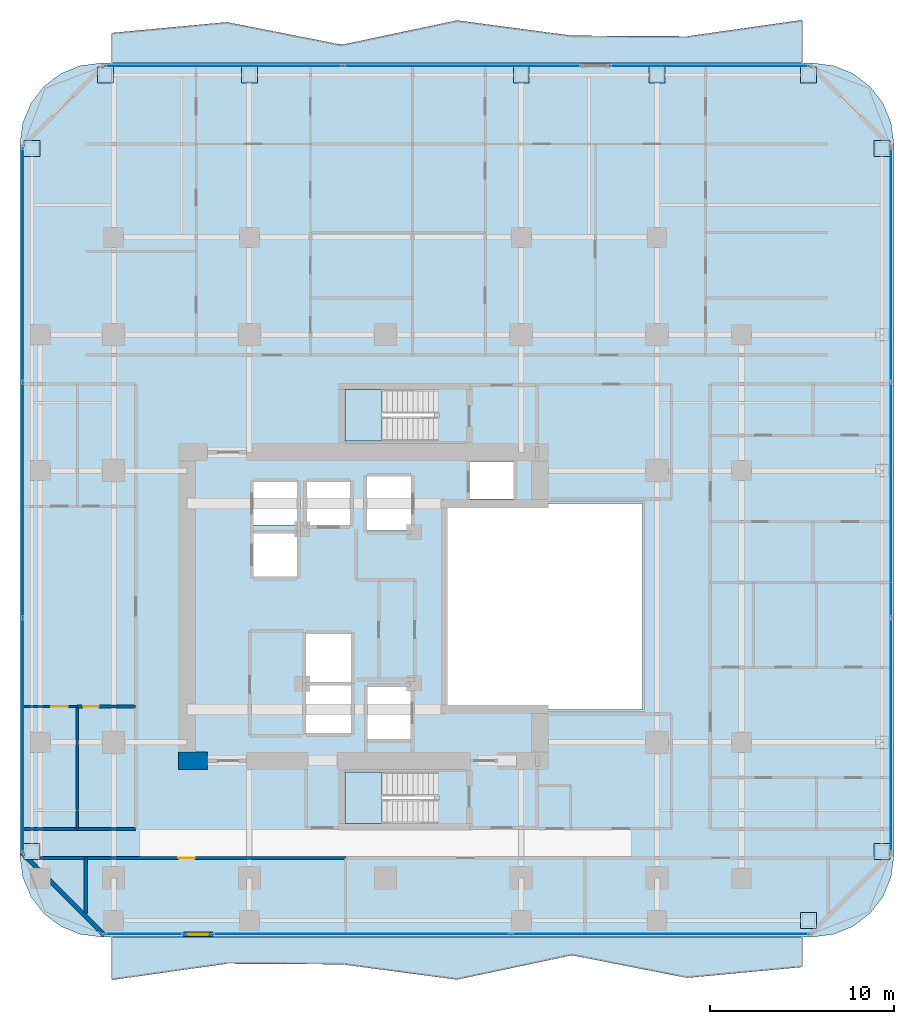
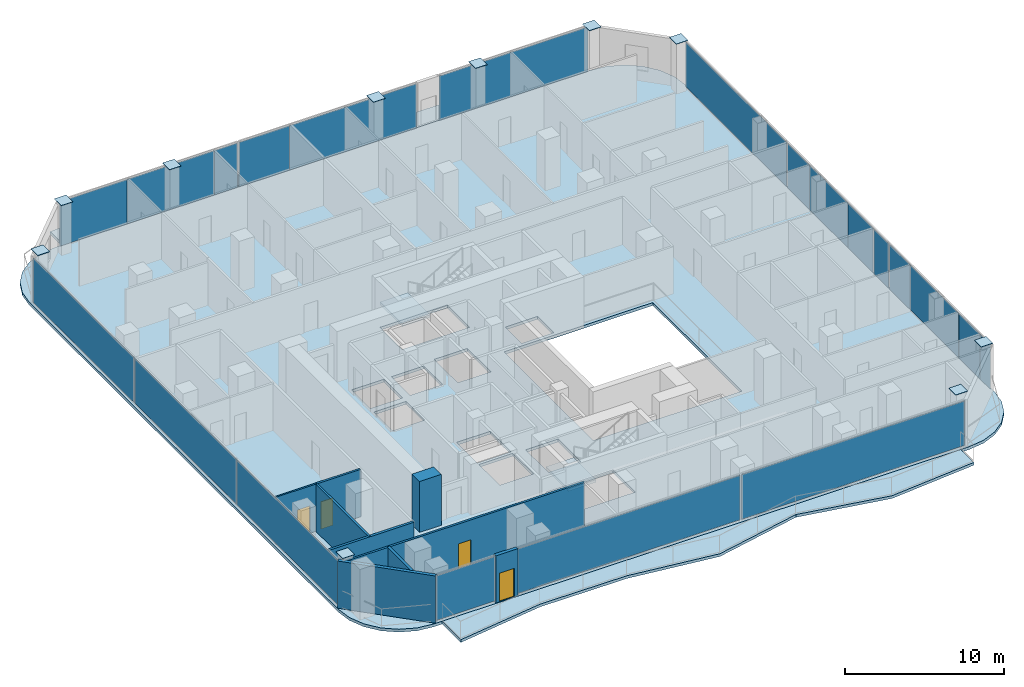
# One storey, part 19 of 27: 31 plates, 9 walls, 5 slabs, 4 doors, 4 openings, 8 elements without a shape of their own.
"""IFC4 building model written with IfcOpenShell, lengths in metres."""

import ifcopenshell
import ifcopenshell.guid

model = None  # the IFC model being written
_history = None  # IfcOwnerHistory: only IFC2X3 demands one
_inside = {}  # id of a spatial element -> (the spatial element, [elements in it])
_under = {}  # id of a project, library or spatial element -> (it, [spatial elements below it])
_declared = {}  # id of a project -> (the project, [libraries it declares])
_typed = {}  # id of a type object -> (the type object, [elements of that type])
_made_of = {}  # id of a material, layer set ... -> (it, [elements and type objects made of it])


def new_model(schema):
    """Start an empty IFC model of exactly this schema.

    Asked for "IFC4X3", IfcOpenShell would pick the latest addendum, in which some entities
    have other attributes; the version numbers below select the first issue.
    IFC2X3 requires an IfcOwnerHistory on every rooted entity: one is made here for all.
    """
    global model, _history
    if schema == "IFC4X3":
        model = ifcopenshell.file(schema_version=(4, 3, 0, 0))
    else:
        model = ifcopenshell.file(schema=schema)
    _inside.clear()
    _under.clear()
    _declared.clear()
    _typed.clear()
    _made_of.clear()
    _history = None
    if model.schema == "IFC2X3":
        org = make("IfcOrganization", Name="unknown")
        user = make(
            "IfcPersonAndOrganization",
            ThePerson=make("IfcPerson", FamilyName="unknown"),
            TheOrganization=org,
        )
        app = make(
            "IfcApplication",
            ApplicationDeveloper=org,
            Version="unknown",
            ApplicationFullName="unknown",
            ApplicationIdentifier="unknown",
        )
        _history = make(
            "IfcOwnerHistory",
            OwningUser=user,
            OwningApplication=app,
            ChangeAction="ADDED",
            CreationDate=0,
        )
    return model


def make(cls, **values):
    """One entity of the class cls with the attributes given. An attribute that is None is left unset."""
    return model.create_entity(
        cls, **{name: value for name, value in values.items() if value is not None}
    )


def rooted(cls, **values):
    """An entity with a GlobalId (a new one), such as an element, a storey or a relation."""
    return make(cls, GlobalId=ifcopenshell.guid.new(), OwnerHistory=_history, **values)


def si_unit(unit_type, name, prefix=None):
    """IfcSIUnit, for example si_unit("LENGTHUNIT", "METRE", prefix="MILLI")."""
    return make("IfcSIUnit", UnitType=unit_type, Prefix=prefix, Name=name)


def assignment(units):
    """IfcUnitAssignment: the units of a project."""
    return None if units is None else make("IfcUnitAssignment", Units=units)


def point(xyz):
    """IfcCartesianPoint."""
    return None if xyz is None else make("IfcCartesianPoint", Coordinates=xyz)


def direction(xyz):
    """IfcDirection."""
    return None if xyz is None else make("IfcDirection", DirectionRatios=xyz)


def frame(location, z_axis=None, x_axis=None):
    """IfcAxis2Placement3D, a coordinate frame: its origin and axes. An axis left out is left unset."""
    return make(
        "IfcAxis2Placement3D",
        Location=point(location),
        Axis=direction(z_axis),
        RefDirection=direction(x_axis),
    )


def frame_2d(location, x_axis=None):
    """IfcAxis2Placement2D, a coordinate frame in the plane: its origin and x axis."""
    return make(
        "IfcAxis2Placement2D", Location=point(location), RefDirection=direction(x_axis)
    )


def origin():
    """The frame at (0, 0, 0) with its axes left unset."""
    return frame((0.0, 0.0, 0.0))


def origin_2d():
    """The frame at (0, 0) in the plane with its x axis left unset."""
    return frame_2d((0.0, 0.0))


def place(relative_to, where):
    """IfcLocalPlacement: puts the frame where relative to a parent placement (None: the world)."""
    return make(
        "IfcLocalPlacement", PlacementRelTo=relative_to, RelativePlacement=where
    )


def context(
    kind, dimensions, precision=None, world=None, true_north=None, identifier=None
):
    """IfcGeometricRepresentationContext, for example the 3D "Model" context."""
    return make(
        "IfcGeometricRepresentationContext",
        ContextIdentifier=identifier,
        ContextType=kind,
        CoordinateSpaceDimension=dimensions,
        Precision=precision,
        WorldCoordinateSystem=world,
        TrueNorth=true_north,
    )


def subcontext(parent, identifier, kind, view, scale=None):
    """IfcGeometricRepresentationSubContext, for example "Body" below "Model"."""
    return make(
        "IfcGeometricRepresentationSubContext",
        ContextIdentifier=identifier,
        ContextType=kind,
        ParentContext=parent,
        TargetScale=scale,
        TargetView=view,
    )


def project(units=None, contexts=None):
    """IfcProject with its units and contexts."""
    return rooted(
        "IfcProject",
        Name="project",
        RepresentationContexts=contexts,
        UnitsInContext=assignment(units),
    )


def spatial(cls, under=None, at=None, **own):
    """A site, building, storey or space (cls), placed at a placement, below another one or the project."""
    s = rooted(cls, ObjectPlacement=at, **own)
    if under is not None:
        _under.setdefault(under.id(), (under, []))[1].append(s)
    return s


def polyline(points):
    """IfcPolyline through the points."""
    return make("IfcPolyline", Points=[point(p) for p in points])


def profile(cls, at=None, kind="AREA", **sizes):
    """A parametric profile (cls). Its sizes go by their IFC names, for example OverallWidth=200.0."""
    return make(cls, ProfileType=kind, Position=at, **sizes)


def rectangle(**sizes):
    """IfcRectangleProfileDef."""
    return profile("IfcRectangleProfileDef", **sizes)


def outline(outer, holes=None, kind="AREA"):
    """IfcArbitraryClosedProfileDef: a profile drawn as a closed curve; with holes, ...WithVoids."""
    if holes is None:
        return make("IfcArbitraryClosedProfileDef", ProfileType=kind, OuterCurve=outer)
    return make(
        "IfcArbitraryProfileDefWithVoids",
        ProfileType=kind,
        OuterCurve=outer,
        InnerCurves=holes,
    )


def extrude(swept, where, along, depth):
    """IfcExtrudedAreaSolid: the profile swept, set in the frame where, extruded along a direction by depth."""
    return make(
        "IfcExtrudedAreaSolid",
        SweptArea=swept,
        Position=where,
        ExtrudedDirection=direction(along),
        Depth=depth,
    )


def shape(context_of_items, identifier, shape_type, items):
    """IfcShapeRepresentation: the items that make up one representation, for example the "Body"."""
    return make(
        "IfcShapeRepresentation",
        ContextOfItems=context_of_items,
        RepresentationIdentifier=identifier,
        RepresentationType=shape_type,
        Items=items,
    )


def material(Name=None, Category=None):
    """IfcMaterial."""
    return make("IfcMaterial", Name=Name, Category=Category)


def layer(
    of_material, thickness, ventilated=None, Name=None, Category=None, Priority=None
):
    """IfcMaterialLayer: one layer of a wall or slab, of a material (None: an air gap)."""
    return make(
        "IfcMaterialLayer",
        Material=of_material,
        LayerThickness=thickness,
        IsVentilated=ventilated,
        Name=Name,
        Category=Category,
        Priority=Priority,
    )


def layer_set(layers, Name=None):
    """IfcMaterialLayerSet."""
    return make("IfcMaterialLayerSet", MaterialLayers=layers, LayerSetName=Name)


def made_of(thing, what):
    """Note that an element or type object is made of a material, layer set ...; save() writes the relation."""
    if what is not None:
        _made_of.setdefault(what.id(), (what, []))[1].append(thing)
    return thing


def type_object(cls, material=None, **own):
    """A type object (cls), such as IfcWallType, which elements share."""
    return made_of(rooted(cls, **own), material)


def element(
    cls,
    number,
    at=None,
    inside=None,
    cuts=None,
    type_object=None,
    material=None,
    context=None,
    identifier="Body",
    shape_type=None,
    held_by="IfcProductDefinitionShape",
    body=None,
    shapes=None,
    **own,
):
    """One element of the class cls, such as IfcWall. Its Tag is "e" and its number.

    at: its placement. inside: the storey or other place that contains it. cuts: it is an
    opening in that element (IfcRelVoidsElement). A single representation is given by context,
    identifier, shape_type and body (its items); several are given by shapes. held_by: the class
    of the entity that holds the representations. save() writes the other relations.
    """
    e = rooted(cls, Tag="e%d" % number, ObjectPlacement=at, **own)
    if body is not None:
        shapes = [shape(context, identifier, shape_type, body)]
    if shapes is not None:
        e.Representation = make(held_by, Representations=shapes)
    if inside is not None:
        _inside.setdefault(inside.id(), (inside, []))[1].append(e)
    if cuts is not None:
        rooted(
            "IfcRelVoidsElement", RelatingBuildingElement=cuts, RelatedOpeningElement=e
        )
    if type_object is not None:
        _typed.setdefault(type_object.id(), (type_object, []))[1].append(e)
    return made_of(e, material)


def fill(opening, filler):
    """IfcRelFillsElement: the door or window that sits in an opening."""
    return rooted(
        "IfcRelFillsElement",
        RelatingOpeningElement=opening,
        RelatedBuildingElement=filler,
    )


def aggregate(whole, parts):
    """IfcRelAggregates: a whole, such as a stair, and the parts it consists of."""
    return rooted("IfcRelAggregates", RelatingObject=whole, RelatedObjects=parts)


def save(model, path):
    """Write the relations noted so far, then the file.

    IfcRelAggregates (storeys below a building ...), IfcRelContainedInSpatialStructure (elements
    in a storey), IfcRelDefinesByType, IfcRelAssociatesMaterial and IfcRelDeclares: one each for
    every whole, place, type object, material and project.
    """
    for whole, parts in _under.values():
        aggregate(whole, parts)
    for where, things in _inside.values():
        rooted(
            "IfcRelContainedInSpatialStructure",
            RelatedElements=things,
            RelatingStructure=where,
        )
    for kind, things in _typed.values():
        rooted("IfcRelDefinesByType", RelatedObjects=things, RelatingType=kind)
    for what, things in _made_of.values():
        rooted("IfcRelAssociatesMaterial", RelatedObjects=things, RelatingMaterial=what)
    for by, libraries in _declared.values():
        rooted("IfcRelDeclares", RelatingContext=by, RelatedDefinitions=libraries)
    model.write(path)


model = new_model("IFC4")

# Units and contexts
model_context = context("Model", 3, precision=1e-05, world=origin(), true_north=direction((0.0, 1.0)))
body_context = subcontext(model_context, "Body", "Model", "MODEL_VIEW")
ifc_project = project(units=[si_unit("LENGTHUNIT", "METRE"), si_unit("AREAUNIT", "SQUARE_METRE"), si_unit("VOLUMEUNIT", "CUBIC_METRE"), si_unit("PLANEANGLEUNIT", "RADIAN"), si_unit("MASSUNIT", "GRAM", prefix="KILO")], contexts=[model_context])

# Site, building, storey
site_placement = place(None, origin())
site = spatial("IfcSite", under=ifc_project, at=site_placement, CompositionType="ELEMENT")
building_placement = place(site_placement, origin())
building = spatial("IfcBuilding", under=site, at=building_placement, Name="Khorvyn Point Tower", CompositionType="ELEMENT")
storey_placement = place(building_placement, frame((0.0, 0.0, 132.89990234375)))
storey = spatial("IfcBuildingStorey", under=building, at=storey_placement, Name="L33", CompositionType="ELEMENT", Elevation=132.89990234375)

# Slabs
ifc_material_1 = material(Name="Concrete C35/45", Category="concrete")
ifc_layer_1 = layer(ifc_material_1, 0.219970703125)
ifc_layer_set_1 = layer_set([ifc_layer_1], Name="Concrete C35/45 Structural Floor Slab 220")
slab_type_1 = type_object("IfcSlabType", Name="Concrete C35/45 Structural Floor Slab 220", PredefinedType="FLOOR", material=ifc_layer_set_1)
slab_1_placement = place(storey_placement, frame((0.0, 0.0, -0.219970703125)))
element("IfcSlab", 1, at=slab_1_placement, inside=storey, type_object=slab_type_1, Name="L33 Main Structural Floor Slab", PredefinedType="FLOOR", context=body_context, shape_type="SweptSolid", body=[
    extrude(outline(polyline([(-15.5, -18.0), (-16.638916015625, -17.85009765625), (-17.699951171875, -17.410400390625), (-18.611328125, -16.711181640625), (-19.310546875, -15.800048828125), (-19.75, -14.73876953125), (-19.89990234375, -13.60009765625), (-19.89990234375, 25.199951171875), (-19.75, 26.3388671875), (-19.310546875, 27.39990234375), (-18.611328125, 28.311279296875), (-17.699951171875, 29.010498046875), (-16.638916015625, 29.4501953125), (-15.5, 29.60009765625), (23.300048828125, 29.60009765625), (24.438720703125, 29.4501953125), (25.5, 29.010498046875), (26.411376953125, 28.311279296875), (27.110595703125, 27.39990234375), (27.550048828125, 26.3388671875), (27.699951171875, 25.199951171875), (27.699951171875, -13.60009765625), (27.550048828125, -14.73876953125), (27.110595703125, -15.800048828125), (26.411376953125, -16.711181640625), (25.5, -17.410400390625), (24.438720703125, -17.85009765625), (23.300048828125, -18.0), (-15.5, -18.0)]), holes=[polyline([(-1.875, -6.89990234375), (-1.875, -4.300048828125), (-4.324951171875, -4.300048828125), (-4.324951171875, -6.89990234375), (-1.875, -6.89990234375)]), polyline([(-1.875, -4.10009765625), (-1.875, -1.5), (-4.324951171875, -1.5), (-4.324951171875, -4.10009765625), (-1.875, -4.10009765625)]), polyline([(-4.824951171875, 1.625), (-4.824951171875, 3.97509765625), (-7.175048828125, 3.97509765625), (-7.175048828125, 1.625), (-4.824951171875, 1.625)]), polyline([(-7.175048828125, 4.425048828125), (-4.824951171875, 4.425048828125), (-4.824951171875, 6.77490234375), (-7.175048828125, 6.77490234375), (-7.175048828125, 4.425048828125)]), polyline([(-4.27490234375, 4.425048828125), (-1.925048828125, 4.425048828125), (-1.925048828125, 6.77490234375), (-4.27490234375, 6.77490234375), (-4.27490234375, 4.425048828125)]), polyline([(1.39990234375, 4.125), (1.39990234375, 7.074951171875), (-1.0, 7.074951171875), (-1.0, 4.125), (1.39990234375, 4.125)]), polyline([(-2.199951171875, -11.820068359375), (2.679931640625, -11.820068359375), (2.679931640625, -9.02001953125), (-2.199951171875, -9.02001953125), (-2.199951171875, -11.820068359375)]), polyline([(-0.97509765625, -7.22509765625), (1.375, -7.22509765625), (1.375, -4.375), (-0.97509765625, -4.375), (-0.97509765625, -7.22509765625)]), polyline([(14.0, -5.60009765625), (14.0, 5.60009765625), (3.199951171875, 5.60009765625), (3.199951171875, -5.60009765625), (14.0, -5.60009765625)]), polyline([(4.625, 5.85009765625), (6.97509765625, 5.85009765625), (6.97509765625, 7.905029296875), (4.625, 7.905029296875), (4.625, 5.85009765625)]), polyline([(-2.199951171875, 9.02001953125), (2.679931640625, 9.02001953125), (2.679931640625, 11.820068359375), (-2.199951171875, 11.820068359375), (-2.199951171875, 9.02001953125)])]), origin(), (0.0, 0.0, 1.0), 0.219970703125),
])
ifc_material_2 = material(Name="Concrete C40/50", Category="concrete")
ifc_layer_2 = layer(ifc_material_2, 0.2099609375)
ifc_layer_set_2 = layer_set([ifc_layer_2], Name="Concrete C40/50 Rippling Balcony Slab 210")
slab_type_2 = type_object("IfcSlabType", Name="Concrete C40/50 Rippling Balcony Slab 210", PredefinedType="USERDEFINED", material=ifc_layer_set_2)
slab_2_placement = place(storey_placement, frame((0.0, 0.0, -0.2099609375)))
element("IfcSlab", 2, at=slab_2_placement, inside=storey, type_object=slab_type_2, Name="L33 North Sinusoidal Rippling Balcony", ObjectType="BALCONY", PredefinedType="USERDEFINED", context=body_context, shape_type="SweptSolid", body=[
    extrude(outline(polyline([(22.699951171875, 29.60009765625), (22.699951171875, 31.9453125), (16.433349609375, 31.0576171875), (10.166748046875, 31.093505859375), (3.89990234375, 31.925537109375), (-2.36669921875, 30.596435546875), (-8.63330078125, 31.830078125), (-14.89990234375, 31.24169921875), (-14.89990234375, 29.60009765625), (22.699951171875, 29.60009765625)])), origin(), (0.0, 0.0, 1.0), 0.2099609375),
])
slab_3_placement = place(storey_placement, frame((0.0, 0.0, -0.2099609375)))
element("IfcSlab", 3, at=slab_3_placement, inside=storey, type_object=slab_type_2, Name="L33 South Sinusoidal Rippling Balcony", ObjectType="BALCONY", PredefinedType="USERDEFINED", context=body_context, shape_type="SweptSolid", body=[
    extrude(outline(polyline([(-14.89990234375, -18.0), (-14.89990234375, -20.345458984375), (-8.63330078125, -19.457763671875), (-2.36669921875, -19.493408203125), (3.89990234375, -20.325439453125), (10.166748046875, -18.99658203125), (16.433349609375, -20.230224609375), (22.699951171875, -19.6416015625), (22.699951171875, -18.0), (-14.89990234375, -18.0)])), origin(), (0.0, 0.0, 1.0), 0.2099609375),
])

# Stair, slab
stair_type = type_object("IfcStairType", Name="Tower Concrete C40/50 Dogleg Exit Stair", PredefinedType="HALF_TURN_STAIR", material=ifc_material_2)
stair_1_placement = place(storey_placement, origin())
stair_1 = element("IfcStair", 4, at=stair_1_placement, inside=storey, type_object=stair_type, Name="L33 Tower Smokeproof Exit Stair South", PredefinedType="HALF_TURN_STAIR")
ifc_layer_3 = layer(ifc_material_2, 0.199951171875)
ifc_layer_set_3 = layer_set([ifc_layer_3], Name="Concrete C40/50 Stair Landing Slab 200")
slab_type_3 = type_object("IfcSlabType", Name="Concrete C40/50 Stair Landing Slab 200", PredefinedType="LANDING", material=ifc_layer_set_3)
slab_4_placement = place(storey_placement, frame((0.0, 0.0, 1.75)))
slab_4 = element("IfcSlab", 5, at=slab_4_placement, type_object=slab_type_3, Name="ST-01 landing 1", PredefinedType="LANDING", context=body_context, shape_type="SweptSolid", body=[
    extrude(outline(polyline([(-0.179931640625, -9.02001953125), (-2.199951171875, -9.02001953125), (-2.199951171875, -11.820068359375), (-0.179931640625, -11.820068359375), (-0.179931640625, -9.02001953125)])), origin(), (0.0, 0.0, 1.0), 0.2001953125),
])
aggregate(stair_1, [slab_4])

stair_2_placement = place(storey_placement, origin())
stair_2 = element("IfcStair", 6, at=stair_2_placement, inside=storey, type_object=stair_type, Name="L33 Tower Smokeproof Exit Stair North", PredefinedType="HALF_TURN_STAIR")
slab_5_placement = place(storey_placement, frame((0.0, 0.0, 1.75)))
slab_5 = element("IfcSlab", 7, at=slab_5_placement, type_object=slab_type_3, Name="ST-02 landing 1", PredefinedType="LANDING", context=body_context, shape_type="SweptSolid", body=[
    extrude(outline(polyline([(-0.179931640625, 11.820068359375), (-2.199951171875, 11.820068359375), (-2.199951171875, 9.02001953125), (-0.179931640625, 9.02001953125), (-0.179931640625, 11.820068359375)])), origin(), (0.0, 0.0, 1.0), 0.2001953125),
])
aggregate(stair_2, [slab_5])

# Plates
ifc_material_3 = material(Name="Steel S450", Category="steel")
ifc_layer_4 = layer(ifc_material_3, 0.031982421875)
ifc_layer_set_4 = layer_set([ifc_layer_4], Name="Steel S450 Exoskeleton End Cap Plate 32")
plate_type_1 = type_object("IfcPlateType", Name="Steel S450 Exoskeleton End Cap Plate 32", PredefinedType="USERDEFINED", material=ifc_layer_set_4)
for number, where, z_axis, x_axis, name in (
    (8, (23.050048828125, -17.10009765625, 3.89404296875), (0.0, 0.0, 1.0), (1.0, 0.0, 0.0), "Plate"),
    (9, (-15.25, 28.949951171875, 3.89404296875), (0.0, 0.0, 1.0), (1.0, 0.0, 0.0), "Plate"),
    (10, (23.050048828125, 28.949951171875, 3.89404296875), (0.0, 0.0, 1.0), (1.0, 0.0, 0.0), "Plate"),
    (11, (-19.25, -13.35009765625, 3.89404296875), (0.0, 0.0, 1.0), (1.0, 0.0, 0.0), "Plate"),
    (12, (-19.25, 24.949951171875, 3.89404296875), (0.0, 0.0, 1.0), (1.0, 0.0, 0.0), "Plate"),
    (13, (27.050048828125, -13.35009765625, 3.89404296875), (0.0, 0.0, 1.0), (1.0, 0.0, 0.0), "Plate"),
    (14, (27.050048828125, 24.949951171875, 3.89404296875), (0.0, 0.0, 1.0), (1.0, 0.0, 0.0), "Plate"),
    (15, (-7.39990234375, 28.949951171875, 3.89404296875), (0.0, 0.0, 1.0), (1.0, 0.0, 0.0), "Plate"),
    (16, (7.39990234375, 28.949951171875, 3.89404296875), (0.0, 0.0, 1.0), (1.0, 0.0, 0.0), "Plate"),
    (17, (14.800048828125, 28.949951171875, 3.89404296875), (0.0, 0.0, 1.0), (1.0, 0.0, 0.0), "Plate"),
):
    element("IfcPlate", number, at=place(storey_placement, frame(where, z_axis=z_axis, x_axis=x_axis)), inside=storey, type_object=plate_type_1, Name=name, ObjectType="GUSSET", PredefinedType="USERDEFINED", context=body_context, shape_type="SweptSolid", body=[
        extrude(rectangle(XDim=0.860107421875, YDim=0.860107421875, at=origin_2d()), origin(), (0.0, 0.0, 1.0), 0.031982421875),
    ])

# Curtain wall, plates
ifc_material_4 = material(Name="Anodised aluminium 6063-T6 and laminated Low-E glass", Category="aluminium")
ifc_layer_5 = layer(ifc_material_4, 0.18994140625)
ifc_layer_set_5 = layer_set([ifc_layer_5], Name="Stick-Built Acoustic Curtain Wall CW-SYS-03")
curtain_wall_type = type_object("IfcCurtainWallType", Name="Stick-Built Acoustic Curtain Wall CW-SYS-03", PredefinedType="NOTDEFINED", material=ifc_layer_set_5)
curtain_wall_1_placement = place(storey_placement, origin())
curtain_wall_1 = element("IfcCurtainWall", 18, at=curtain_wall_1_placement, inside=storey, type_object=curtain_wall_type, Name="Curtain Wall", PredefinedType="NOTDEFINED")
ifc_material_5 = material(Name="Laminated Low-E insulated glass", Category="glass")
ifc_layer_6 = layer(ifc_material_5, 0.028076171875)
ifc_layer_set_6 = layer_set([ifc_layer_6], Name="Tempered Low-E Vision Glazing Panel CW-GL28")
plate_type_2 = type_object("IfcPlateType", Name="Tempered Low-E Vision Glazing Panel CW-GL28", PredefinedType="CURTAIN_PANEL", material=ifc_layer_set_6)
plate_1_placement = place(storey_placement, frame((14.96923828125, -17.85009765625, 0.10009765625), z_axis=(0.0, 0.0, 1.0), x_axis=(-1.0, 0.0, 0.0)))
plate_1 = element("IfcPlate", 19, at=plate_1_placement, type_object=plate_type_2, Name="Panel", PredefinedType="CURTAIN_PANEL", context=body_context, shape_type="SweptSolid", body=[
    extrude(rectangle(XDim=16.16162109375, YDim=0.028076171875, at=origin_2d()), origin(), (0.0, 0.0, 1.0), 3.419921875),
])
plate_2_placement = place(storey_placement, frame((-1.292236328125, -17.85009765625, 0.10009765625), z_axis=(0.0, 0.0, 1.0), x_axis=(-1.0, 0.0, 0.0)))
plate_2 = element("IfcPlate", 20, at=plate_2_placement, type_object=plate_type_2, Name="Panel", PredefinedType="CURTAIN_PANEL", context=body_context, shape_type="SweptSolid", body=[
    extrude(rectangle(XDim=16.16162109375, YDim=0.028076171875, at=origin_2d()), origin(), (0.0, 0.0, 1.0), 3.419921875),
])
aggregate(curtain_wall_1, [plate_1, plate_2])

# Curtain wall, plate
curtain_wall_2_placement = place(storey_placement, origin())
curtain_wall_2 = element("IfcCurtainWall", 21, at=curtain_wall_2_placement, inside=storey, type_object=curtain_wall_type, Name="Curtain Wall", PredefinedType="NOTDEFINED")
plate_3_placement = place(storey_placement, frame((-13.131591796875, -17.85009765625, 0.10009765625), z_axis=(0.0, 0.0, 1.0), x_axis=(-1.0, 0.0, 0.0)))
plate_3 = element("IfcPlate", 22, at=plate_3_placement, type_object=plate_type_2, Name="Panel", PredefinedType="CURTAIN_PANEL", context=body_context, shape_type="SweptSolid", body=[
    extrude(rectangle(XDim=4.237060546875, YDim=0.028076171875, at=origin_2d()), origin(), (0.0, 0.0, 1.0), 3.419921875),
])
aggregate(curtain_wall_2, [plate_3])

# Curtain wall, plates
curtain_wall_3_placement = place(storey_placement, origin())
curtain_wall_3 = element("IfcCurtainWall", 23, at=curtain_wall_3_placement, inside=storey, type_object=curtain_wall_type, Name="Curtain Wall", PredefinedType="NOTDEFINED")
plate_4_placement = place(storey_placement, frame((-12.80810546875, 29.449951171875, 0.10009765625), z_axis=(0.0, 0.0, 1.0), x_axis=(1.0, 0.0, 0.0)))
plate_4 = element("IfcPlate", 24, at=plate_4_placement, type_object=plate_type_2, Name="Panel", PredefinedType="CURTAIN_PANEL", context=body_context, shape_type="SweptSolid", body=[
    extrude(rectangle(XDim=4.8759765625, YDim=0.028076171875, at=origin_2d()), origin(), (0.0, 0.0, 1.0), 3.419921875),
])
plate_5_placement = place(storey_placement, frame((-7.19189453125, 29.449951171875, 0.10009765625), z_axis=(0.0, 0.0, 1.0), x_axis=(1.0, 0.0, 0.0)))
plate_5 = element("IfcPlate", 25, at=plate_5_placement, type_object=plate_type_2, Name="Panel", PredefinedType="CURTAIN_PANEL", context=body_context, shape_type="SweptSolid", body=[
    extrude(rectangle(XDim=6.340087890625, YDim=0.028076171875, at=origin_2d()), origin(), (0.0, 0.0, 1.0), 3.419921875),
])
plate_6_placement = place(storey_placement, frame((-3.1904296875, 29.449951171875, 0.10009765625), z_axis=(0.0, 0.0, 1.0), x_axis=(1.0, 0.0, 0.0)))
plate_6 = element("IfcPlate", 26, at=plate_6_placement, type_object=plate_type_2, Name="Panel", PredefinedType="CURTAIN_PANEL", context=body_context, shape_type="SweptSolid", body=[
    extrude(rectangle(XDim=1.64697265625, YDim=0.028076171875, at=origin_2d()), origin(), (0.0, 0.0, 1.0), 3.419921875),
])
plate_7_placement = place(storey_placement, frame((-0.424560546875, 29.449951171875, 0.10009765625), z_axis=(0.0, 0.0, 1.0), x_axis=(1.0, 0.0, 0.0)))
plate_7 = element("IfcPlate", 27, at=plate_7_placement, type_object=plate_type_2, Name="Panel", PredefinedType="CURTAIN_PANEL", context=body_context, shape_type="SweptSolid", body=[
    extrude(rectangle(XDim=3.6689453125, YDim=0.028076171875, at=origin_2d()), origin(), (0.0, 0.0, 1.0), 3.419921875),
])
plate_8_placement = place(storey_placement, frame((6.01904296875, 29.449951171875, 0.10009765625), z_axis=(0.0, 0.0, 1.0), x_axis=(1.0, 0.0, 0.0)))
plate_8 = element("IfcPlate", 28, at=plate_8_placement, type_object=plate_type_2, Name="Panel", PredefinedType="CURTAIN_PANEL", context=body_context, shape_type="SweptSolid", body=[
    extrude(rectangle(XDim=9.201904296875, YDim=0.028076171875, at=origin_2d()), origin(), (0.0, 0.0, 1.0), 3.419921875),
])
aggregate(curtain_wall_3, [plate_4, plate_5, plate_6, plate_7, plate_8])

# Curtain wall, plate
curtain_wall_4_placement = place(storey_placement, origin())
curtain_wall_4 = element("IfcCurtainWall", 29, at=curtain_wall_4_placement, inside=storey, type_object=curtain_wall_type, Name="Curtain Wall", PredefinedType="NOTDEFINED")
plate_9_placement = place(storey_placement, frame((17.656982421875, 29.449951171875, 0.10009765625), z_axis=(0.0, 0.0, 1.0), x_axis=(1.0, 0.0, 0.0)))
plate_9 = element("IfcPlate", 30, at=plate_9_placement, type_object=plate_type_2, Name="Panel", PredefinedType="CURTAIN_PANEL", context=body_context, shape_type="SweptSolid", body=[
    extrude(rectangle(XDim=10.785888671875, YDim=0.028076171875, at=origin_2d()), origin(), (0.0, 0.0, 1.0), 3.419921875),
])
aggregate(curtain_wall_4, [plate_9])

# Curtain wall, plates
curtain_wall_5_placement = place(storey_placement, origin())
curtain_wall_5 = element("IfcCurtainWall", 31, at=curtain_wall_5_placement, inside=storey, type_object=curtain_wall_type, Name="Curtain Wall", PredefinedType="NOTDEFINED")
plate_10_placement = place(storey_placement, frame((-19.75, -7.00830078125, 0.10009765625), z_axis=(0.0, 0.0, 1.0), x_axis=(0.0, 1.0, 0.0)))
plate_10 = element("IfcPlate", 32, at=plate_10_placement, type_object=plate_type_2, Name="Panel", PredefinedType="CURTAIN_PANEL", context=body_context, shape_type="SweptSolid", body=[
    extrude(rectangle(XDim=12.683349609375, YDim=0.028076171875, at=origin_2d()), origin(), (0.0, 0.0, 1.0), 3.419921875),
])
plate_11_placement = place(storey_placement, frame((-19.75, 5.800048828125, 0.10009765625), z_axis=(0.0, 0.0, 1.0), x_axis=(0.0, 1.0, 0.0)))
plate_11 = element("IfcPlate", 33, at=plate_11_placement, type_object=plate_type_2, Name="Panel", PredefinedType="CURTAIN_PANEL", context=body_context, shape_type="SweptSolid", body=[
    extrude(rectangle(XDim=12.7333984375, YDim=0.028076171875, at=origin_2d()), origin(), (0.0, 0.0, 1.0), 3.419921875),
])
plate_12_placement = place(storey_placement, frame((-19.75, 18.6083984375, 0.10009765625), z_axis=(0.0, 0.0, 1.0), x_axis=(0.0, 1.0, 0.0)))
plate_12 = element("IfcPlate", 34, at=plate_12_placement, type_object=plate_type_2, Name="Panel", PredefinedType="CURTAIN_PANEL", context=body_context, shape_type="SweptSolid", body=[
    extrude(rectangle(XDim=12.683349609375, YDim=0.028076171875, at=origin_2d()), origin(), (0.0, 0.0, 1.0), 3.419921875),
])
aggregate(curtain_wall_5, [plate_10, plate_11, plate_12])

curtain_wall_6_placement = place(storey_placement, origin())
curtain_wall_6 = element("IfcCurtainWall", 35, at=curtain_wall_6_placement, inside=storey, type_object=curtain_wall_type, Name="Curtain Wall", PredefinedType="NOTDEFINED")
plate_13_placement = place(storey_placement, frame((27.550048828125, 18.6083984375, 0.10009765625), z_axis=(0.0, 0.0, 1.0), x_axis=(0.0, -1.0, 0.0)))
plate_13 = element("IfcPlate", 36, at=plate_13_placement, type_object=plate_type_2, Name="Panel", PredefinedType="CURTAIN_PANEL", context=body_context, shape_type="SweptSolid", body=[
    extrude(rectangle(XDim=12.683349609375, YDim=0.028076171875, at=origin_2d()), origin(), (0.0, 0.0, 1.0), 3.419921875),
])
plate_14_placement = place(storey_placement, frame((27.550048828125, 0.34130859375, 0.10009765625), z_axis=(0.0, 0.0, 1.0), x_axis=(0.0, -1.0, 0.0)))
plate_14 = element("IfcPlate", 37, at=plate_14_placement, type_object=plate_type_2, Name="Panel", PredefinedType="CURTAIN_PANEL", context=body_context, shape_type="SweptSolid", body=[
    extrude(rectangle(XDim=1.8076171875, YDim=0.028076171875, at=origin_2d()), origin(), (0.0, 0.0, 1.0), 3.419921875),
])
plate_15_placement = place(storey_placement, frame((27.550048828125, 2.96044921875, 0.10009765625), z_axis=(0.0, 0.0, 1.0), x_axis=(0.0, -1.0, 0.0)))
plate_15 = element("IfcPlate", 38, at=plate_15_placement, type_object=plate_type_2, Name="Panel", PredefinedType="CURTAIN_PANEL", context=body_context, shape_type="SweptSolid", body=[
    extrude(rectangle(XDim=3.175048828125, YDim=0.028076171875, at=origin_2d()), origin(), (0.0, 0.0, 1.0), 3.419921875),
])
plate_16_placement = place(storey_placement, frame((27.550048828125, 6.966064453125, 0.10009765625), z_axis=(0.0, 0.0, 1.0), x_axis=(0.0, -1.0, 0.0)))
plate_16 = element("IfcPlate", 39, at=plate_16_placement, type_object=plate_type_2, Name="Panel", PredefinedType="CURTAIN_PANEL", context=body_context, shape_type="SweptSolid", body=[
    extrude(rectangle(XDim=4.820068359375, YDim=0.028076171875, at=origin_2d()), origin(), (0.0, 0.0, 1.0), 3.419921875),
])
plate_17_placement = place(storey_placement, frame((27.550048828125, 10.773193359375, 0.10009765625), z_axis=(0.0, 0.0, 1.0), x_axis=(0.0, -1.0, 0.0)))
plate_17 = element("IfcPlate", 40, at=plate_17_placement, type_object=plate_type_2, Name="Panel", PredefinedType="CURTAIN_PANEL", context=body_context, shape_type="SweptSolid", body=[
    extrude(rectangle(XDim=2.77880859375, YDim=0.028076171875, at=origin_2d()), origin(), (0.0, 0.0, 1.0), 3.419921875),
])
plate_18_placement = place(storey_placement, frame((27.550048828125, -12.705078125, 0.10009765625), z_axis=(0.0, 0.0, 1.0), x_axis=(0.0, -1.0, 0.0)))
plate_18 = element("IfcPlate", 41, at=plate_18_placement, type_object=plate_type_2, Name="Panel", PredefinedType="CURTAIN_PANEL", context=body_context, shape_type="SweptSolid", body=[
    extrude(rectangle(XDim=1.281982421875, YDim=0.028076171875, at=origin_2d()), origin(), (0.0, 0.0, 1.0), 3.419921875),
])
plate_19_placement = place(storey_placement, frame((27.550048828125, -10.719970703125, 0.10009765625), z_axis=(0.0, 0.0, 1.0), x_axis=(0.0, -1.0, 0.0)))
plate_19 = element("IfcPlate", 42, at=plate_19_placement, type_object=plate_type_2, Name="Panel", PredefinedType="CURTAIN_PANEL", context=body_context, shape_type="SweptSolid", body=[
    extrude(rectangle(XDim=2.672119140625, YDim=0.028076171875, at=origin_2d()), origin(), (0.0, 0.0, 1.0), 3.419921875),
])
plate_20_placement = place(storey_placement, frame((27.550048828125, -6.318603515625, 0.10009765625), z_axis=(0.0, 0.0, 1.0), x_axis=(0.0, -1.0, 0.0)))
plate_20 = element("IfcPlate", 43, at=plate_20_placement, type_object=plate_type_2, Name="Panel", PredefinedType="CURTAIN_PANEL", context=body_context, shape_type="SweptSolid", body=[
    extrude(rectangle(XDim=6.114990234375, YDim=0.028076171875, at=origin_2d()), origin(), (0.0, 0.0, 1.0), 3.419921875),
])
plate_21_placement = place(storey_placement, frame((27.550048828125, -1.9619140625, 0.10009765625), z_axis=(0.0, 0.0, 1.0), x_axis=(0.0, -1.0, 0.0)))
plate_21 = element("IfcPlate", 44, at=plate_21_placement, type_object=plate_type_2, Name="Panel", PredefinedType="CURTAIN_PANEL", context=body_context, shape_type="SweptSolid", body=[
    extrude(rectangle(XDim=2.582275390625, YDim=0.028076171875, at=origin_2d()), origin(), (0.0, 0.0, 1.0), 3.419921875),
])
aggregate(curtain_wall_6, [plate_13, plate_14, plate_15, plate_16, plate_17, plate_18, plate_19, plate_20, plate_21])

# Walls
ifc_material_6 = material(Name="Double acoustic gypsum on twin steel stud", Category="steel")
ifc_layer_7 = layer(ifc_material_6, 0.179931640625)
ifc_layer_set_7 = layer_set([ifc_layer_7], Name="Acoustic Double-Stud Apartment Demising Wall 180")
wall_type_1 = type_object("IfcWallType", Name="Acoustic Double-Stud Apartment Demising Wall 180", PredefinedType="PARTITIONING", material=ifc_layer_set_7)
wall_1_placement = place(storey_placement, frame((-16.320068359375, -16.7099609375, 0.0), z_axis=(0.0, 0.0, 1.0), x_axis=(0.0, 1.0, 0.0)))
element("IfcWall", 45, at=wall_1_placement, inside=storey, type_object=wall_type_1, Name="Wall", PredefinedType="PARTITIONING", context=body_context, shape_type="SweptSolid", body=[
    extrude(rectangle(XDim=3.010009765625, YDim=0.179931640625, at=frame_2d((1.5048828125, 0.0))), origin(), (0.0, 0.0, 1.0), 3.6201171875),
])
wall_2_placement = place(storey_placement, frame((-19.72998046875, -12.1201171875, 0.0), z_axis=(0.0, 0.0, 1.0), x_axis=(1.0, 0.0, 0.0)))
element("IfcWall", 46, at=wall_2_placement, inside=storey, type_object=wall_type_1, Name="Wall", PredefinedType="PARTITIONING", context=body_context, shape_type="SweptSolid", body=[
    extrude(rectangle(XDim=6.1298828125, YDim=0.179931640625, at=frame_2d((3.06494140625, 0.0))), origin(), (0.0, 0.0, 1.0), 3.6201171875),
])

# Wall, opening, door
ifc_material_7 = material(Name="Pale anodised aluminium rainscreen on steel stud", Category="steel")
ifc_layer_8 = layer(ifc_material_7, 0.239990234375)
ifc_layer_set_8 = layer_set([ifc_layer_8], Name="Anodised Aluminium Insulated Corner Spandrel Wall 240")
wall_type_2 = type_object("IfcWallType", Name="Anodised Aluminium Insulated Corner Spandrel Wall 240", PredefinedType="SOLIDWALL", material=ifc_layer_set_8)
wall_3_placement = place(storey_placement, frame((-9.403076171875, -17.85009765625, 0.0), z_axis=(0.0, 0.0, 1.0), x_axis=(-1.0, 0.0, 0.0)))
wall_3 = element("IfcWall", 47, at=wall_3_placement, inside=storey, type_object=wall_type_2, Name="L33 South Outdoor Threshold Wall", PredefinedType="SOLIDWALL", context=body_context, shape_type="SweptSolid", body=[
    extrude(rectangle(XDim=1.579833984375, YDim=0.239990234375, at=frame_2d((0.7900390625, 0.0))), origin(), (0.0, 0.0, 1.0), 3.6201171875),
])
opening_1_placement = place(wall_3_placement, frame((0.239990234375, 0.0, 0.0)))
opening_1 = element("IfcOpeningElement", 48, at=opening_1_placement, cuts=wall_3, Name="Opening BD-1122", PredefinedType="OPENING", context=body_context, shape_type="SweptSolid", body=[
    extrude(rectangle(XDim=1.10009765625, YDim=2.199951171875, at=frame_2d((0.550048828125, 1.10009765625))), frame((0.0, 0.1298828125, 0.0), z_axis=(0.0, -1.0, 0.0), x_axis=(1.0, 0.0, 0.0)), (0.0, 0.0, 1.0), 0.260009765625),
])
door_type_1 = type_object("IfcDoorType", Name="Glazed Balcony and Terrace Threshold Door 1100x2200", OperationType="NOTDEFINED", PredefinedType="DOOR", material=ifc_material_4)
door_1_placement = place(opening_1_placement, origin())
door_1 = element("IfcDoor", 49, at=door_1_placement, inside=storey, type_object=door_type_1, Name="L33 South Glazed Balcony Outdoor Door", OperationType="SINGLE_SWING_RIGHT", OverallHeight=2.199951171875, OverallWidth=1.10009765625, PredefinedType="DOOR", context=body_context, shape_type="SweptSolid", body=[
    extrude(rectangle(XDim=1.10009765625, YDim=2.199951171875, at=frame_2d((0.550048828125, 1.10009765625))), frame((0.0, 0.02490234375, 0.0), z_axis=(0.0, -1.0, 0.0), x_axis=(1.0, 0.0, 0.0)), (0.0, 0.0, 1.0), 0.050048828125),
])
fill(opening_1, door_1)

# Walls
wall_4_placement = place(storey_placement, frame((-15.3076171875, -17.892333984375, 0.0), z_axis=(0.0, 0.0, 1.0), x_axis=(-0.707126027686, 0.707087534163, 0.0)))
element("IfcWall", 50, at=wall_4_placement, inside=storey, type_object=wall_type_2, Name="L33 Rounded Corner Wall SW", PredefinedType="SOLIDWALL", context=body_context, shape_type="SweptSolid", body=[
    extrude(rectangle(XDim=6.34228515625, YDim=0.239990234375, at=frame_2d((3.171142578125, 0.0))), origin(), (0.0, 0.0, 1.0), 3.6201171875),
])
ifc_material_8 = material(Name="Concrete C50/60", Category="concrete")
ifc_layer_9 = layer(ifc_material_8, 0.949951171875)
ifc_layer_set_9 = layer_set([ifc_layer_9], Name="Concrete C50/60 Core Shear Wall 950")
wall_type_3 = type_object("IfcWallType", Name="Concrete C50/60 Core Shear Wall 950", PredefinedType="SHEAR", material=ifc_layer_set_9)
wall_5_placement = place(storey_placement, frame((-11.27490234375, -8.39990234375, 0.0), z_axis=(0.0, 0.0, 1.0), x_axis=(1.0, 0.0, 0.0)))
element("IfcWall", 51, at=wall_5_placement, inside=storey, type_object=wall_type_3, Name="Wall", PredefinedType="SHEAR", context=body_context, shape_type="SweptSolid", body=[
    extrude(rectangle(XDim=1.574951171875, YDim=0.949951171875, at=frame_2d((0.78759765625, 0.0))), origin(), (0.0, 0.0, 1.0), 3.900146484375),
])

# Wall, opening, door
ifc_material_9 = material(Name="Gypsum plasterboard on steel stud", Category="steel")
ifc_layer_10 = layer(ifc_material_9, 0.1201171875)
ifc_layer_set_10 = layer_set([ifc_layer_10], Name="Gypsum Acoustic Stud Room Partition Wall 120")
wall_type_4 = type_object("IfcWallType", Name="Gypsum Acoustic Stud Room Partition Wall 120", PredefinedType="PARTITIONING", material=ifc_layer_set_10)
wall_6_placement = place(storey_placement, frame((-19.72998046875, -5.448974609375, 0.0), z_axis=(0.0, 0.0, 1.0), x_axis=(1.0, 0.0, 0.0)))
wall_6 = element("IfcWall", 52, at=wall_6_placement, inside=storey, type_object=wall_type_4, Name="Wall", PredefinedType="PARTITIONING", context=body_context, shape_type="SweptSolid", body=[
    extrude(rectangle(XDim=2.946044921875, YDim=0.1201171875, at=frame_2d((1.47314453125, 0.0))), origin(), (0.0, 0.0, 1.0), 3.6201171875),
])
opening_2_placement = place(wall_6_placement, frame((1.540771484375, 0.0, 0.0)))
opening_2 = element("IfcOpeningElement", 53, at=opening_2_placement, cuts=wall_6, Name="Opening ID-RM90", PredefinedType="OPENING", context=body_context, shape_type="SweptSolid", body=[
    extrude(rectangle(XDim=0.89990234375, YDim=2.10009765625, at=frame_2d((0.449951171875, 1.050048828125))), frame((0.0, 0.070068359375, 0.0), z_axis=(0.0, -1.0, 0.0), x_axis=(1.0, 0.0, 0.0)), (0.0, 0.0, 1.0), 0.14013671875),
])
ifc_material_10 = material(Name="Engineered oak veneer timber", Category="wood")
door_type_2 = type_object("IfcDoorType", Name="Flush Engineered Timber Room Door 900x2100", OperationType="NOTDEFINED", PredefinedType="DOOR", material=ifc_material_10)
door_2_placement = place(opening_2_placement, origin())
door_2 = element("IfcDoor", 54, at=door_2_placement, inside=storey, type_object=door_type_2, Name="Door", OperationType="SINGLE_SWING_LEFT", OverallHeight=2.10009765625, OverallWidth=0.89990234375, PredefinedType="DOOR", context=body_context, shape_type="SweptSolid", body=[
    extrude(rectangle(XDim=0.89990234375, YDim=2.10009765625, at=frame_2d((0.449951171875, 1.050048828125))), frame((0.0, 0.02490234375, 0.0), z_axis=(0.0, -1.0, 0.0), x_axis=(1.0, 0.0, 0.0)), (0.0, 0.0, 1.0), 0.050048828125),
])
fill(opening_2, door_2)

ifc_material_11 = material(Name="Moisture-resistant gypsum and cement board", Category="gypsum")
ifc_layer_11 = layer(ifc_material_11, 0.14990234375)
ifc_layer_set_11 = layer_set([ifc_layer_11], Name="Moisture-Resistant Wet-Room Partition Wall 150")
wall_type_5 = type_object("IfcWallType", Name="Moisture-Resistant Wet-Room Partition Wall 150", PredefinedType="PARTITIONING", material=ifc_layer_set_11)
wall_7_placement = place(storey_placement, frame((-19.330078125, -13.699951171875, 0.0), z_axis=(0.0, 0.0, 1.0), x_axis=(1.0, 0.0, 0.0)))
wall_7 = element("IfcWall", 55, at=wall_7_placement, inside=storey, type_object=wall_type_5, Name="Wall", PredefinedType="PARTITIONING", context=body_context, shape_type="SweptSolid", body=[
    extrude(rectangle(XDim=17.18017578125, YDim=0.14990234375, at=frame_2d((8.590087890625, 0.0))), origin(), (0.0, 0.0, 1.0), 3.6201171875),
])
opening_3_placement = place(wall_7_placement, frame((8.05029296875, 0.0, 0.0)))
opening_3 = element("IfcOpeningElement", 56, at=opening_3_placement, cuts=wall_7, Name="Opening ID-RM90", PredefinedType="OPENING", context=body_context, shape_type="SweptSolid", body=[
    extrude(rectangle(XDim=0.89990234375, YDim=2.10009765625, at=frame_2d((0.449951171875, 1.050048828125))), frame((0.0, 0.0849609375, 0.0), z_axis=(0.0, -1.0, 0.0), x_axis=(1.0, 0.0, 0.0)), (0.0, 0.0, 1.0), 0.169921875),
])
door_3_placement = place(opening_3_placement, origin())
door_3 = element("IfcDoor", 57, at=door_3_placement, inside=storey, type_object=door_type_2, Name="Door", OperationType="SINGLE_SWING_LEFT", OverallHeight=2.10009765625, OverallWidth=0.89990234375, PredefinedType="DOOR", context=body_context, shape_type="SweptSolid", body=[
    extrude(rectangle(XDim=0.89990234375, YDim=2.10009765625, at=frame_2d((0.449951171875, 1.050048828125))), frame((0.0, 0.02490234375, 0.0), z_axis=(0.0, -1.0, 0.0), x_axis=(1.0, 0.0, 0.0)), (0.0, 0.0, 1.0), 0.050048828125),
])
fill(opening_3, door_3)

wall_8_placement = place(storey_placement, frame((-16.783935546875, -5.448974609375, 0.0), z_axis=(0.0, 0.0, 1.0), x_axis=(1.0, 0.0, 0.0)))
wall_8 = element("IfcWall", 58, at=wall_8_placement, inside=storey, type_object=wall_type_5, Name="Wall", PredefinedType="PARTITIONING", context=body_context, shape_type="SweptSolid", body=[
    extrude(rectangle(XDim=3.183837890625, YDim=0.14990234375, at=frame_2d((1.591796875, 0.0))), origin(), (0.0, 0.0, 1.0), 3.6201171875),
])
opening_4_placement = place(wall_8_placement, frame((0.327880859375, 0.0, 0.0)))
opening_4 = element("IfcOpeningElement", 59, at=opening_4_placement, cuts=wall_8, Name="Opening ID-WC85", PredefinedType="OPENING", context=body_context, shape_type="SweptSolid", body=[
    extrude(rectangle(XDim=0.85009765625, YDim=2.10009765625, at=frame_2d((0.425048828125, 1.050048828125))), frame((0.0, 0.0849609375, 0.0), z_axis=(0.0, -1.0, 0.0), x_axis=(1.0, 0.0, 0.0)), (0.0, 0.0, 1.0), 0.169921875),
])
ifc_material_12 = material(Name="High-pressure laminate on moisture-resistant core", Category="wood")
door_type_3 = type_object("IfcDoorType", Name="Moisture-Resistant Accessible Washroom Door 850x2100", OperationType="NOTDEFINED", PredefinedType="DOOR", material=ifc_material_12)
door_4_placement = place(opening_4_placement, origin())
door_4 = element("IfcDoor", 60, at=door_4_placement, inside=storey, type_object=door_type_3, Name="Door", OperationType="SINGLE_SWING_RIGHT", OverallHeight=2.10009765625, OverallWidth=0.85009765625, PredefinedType="DOOR", context=body_context, shape_type="SweptSolid", body=[
    extrude(rectangle(XDim=0.85009765625, YDim=2.10009765625, at=frame_2d((0.425048828125, 1.050048828125))), frame((0.0, 0.02490234375, 0.0), z_axis=(0.0, -1.0, 0.0), x_axis=(1.0, 0.0, 0.0)), (0.0, 0.0, 1.0), 0.050048828125),
])
fill(opening_4, door_4)

# Wall
wall_9_placement = place(storey_placement, frame((-16.783935546875, -12.1201171875, 0.0), z_axis=(0.0, 0.0, 1.0), x_axis=(0.0, 1.0, 0.0)))
element("IfcWall", 61, at=wall_9_placement, inside=storey, type_object=wall_type_5, Name="Wall", PredefinedType="PARTITIONING", context=body_context, shape_type="SweptSolid", body=[
    extrude(rectangle(XDim=6.671142578125, YDim=0.14990234375, at=frame_2d((3.33544921875, 0.0))), origin(), (0.0, 0.0, 1.0), 3.6201171875),
])

save(model, "model.ifc")
